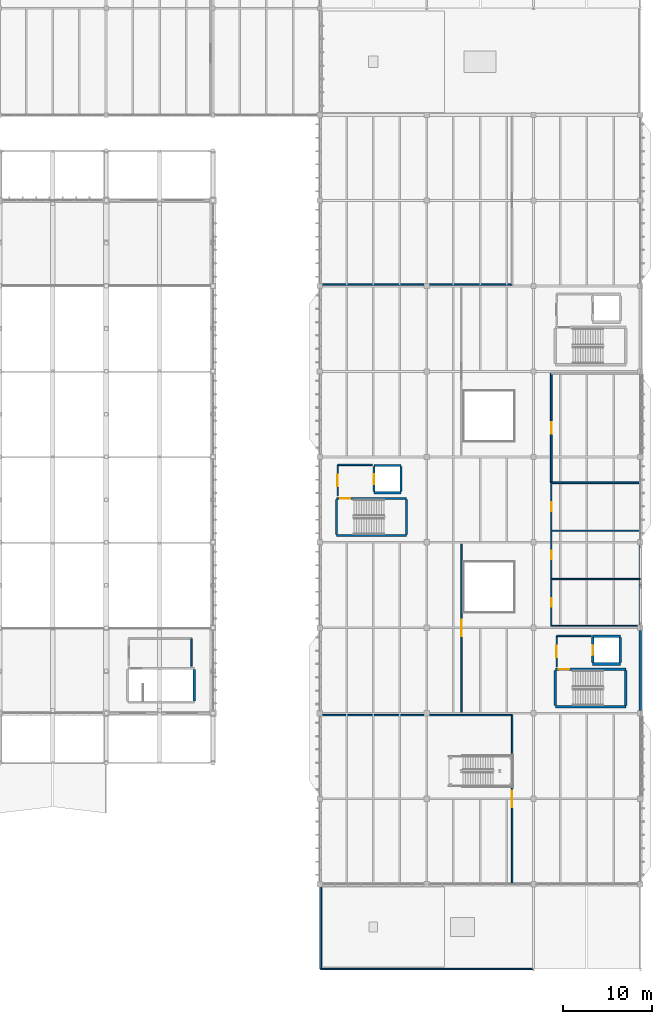
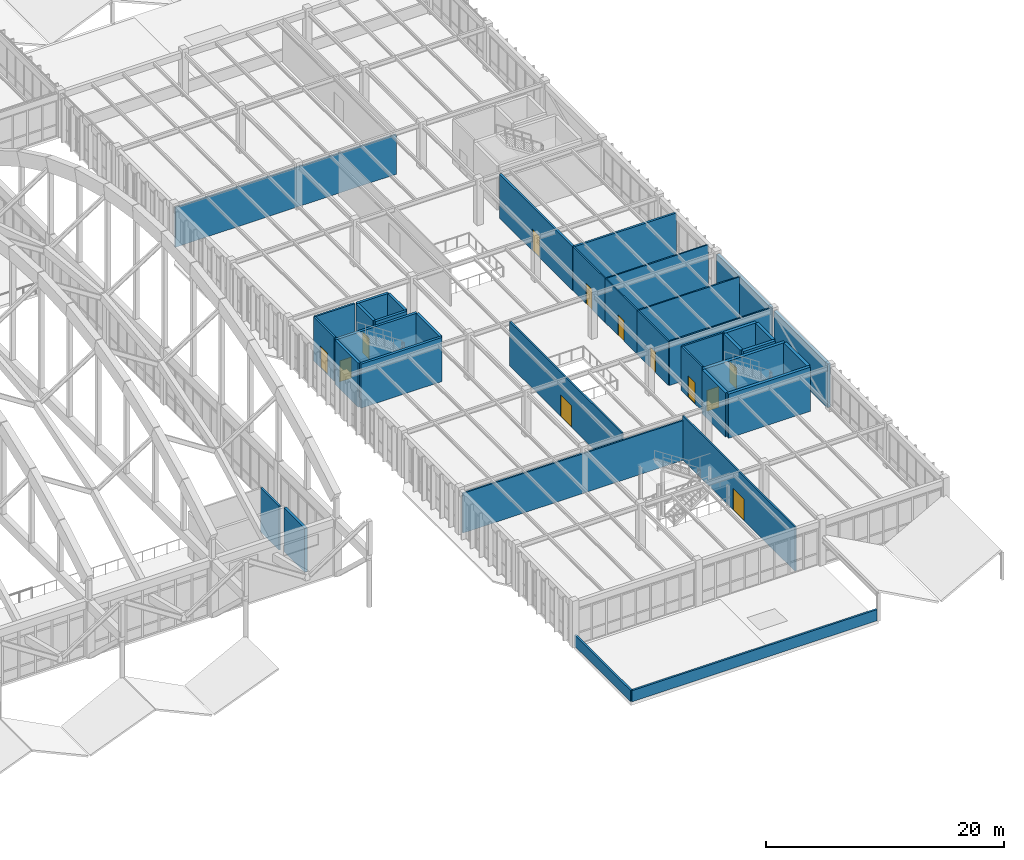
# One storey, part 222 of 236: 38 walls, 12 doors, 12 openings.
"""IFC4 building model written with IfcOpenShell, lengths in metres."""

import ifcopenshell
import ifcopenshell.guid

model = None  # the IFC model being written
_history = None  # IfcOwnerHistory: only IFC2X3 demands one
_inside = {}  # id of a spatial element -> (the spatial element, [elements in it])
_under = {}  # id of a project, library or spatial element -> (it, [spatial elements below it])
_declared = {}  # id of a project -> (the project, [libraries it declares])
_typed = {}  # id of a type object -> (the type object, [elements of that type])
_made_of = {}  # id of a material, layer set ... -> (it, [elements and type objects made of it])


def new_model(schema):
    """Start an empty IFC model of exactly this schema.

    Asked for "IFC4X3", IfcOpenShell would pick the latest addendum, in which some entities
    have other attributes; the version numbers below select the first issue.
    IFC2X3 requires an IfcOwnerHistory on every rooted entity: one is made here for all.
    """
    global model, _history
    if schema == "IFC4X3":
        model = ifcopenshell.file(schema_version=(4, 3, 0, 0))
    else:
        model = ifcopenshell.file(schema=schema)
    _inside.clear()
    _under.clear()
    _declared.clear()
    _typed.clear()
    _made_of.clear()
    _history = None
    if model.schema == "IFC2X3":
        org = make("IfcOrganization", Name="unknown")
        user = make(
            "IfcPersonAndOrganization",
            ThePerson=make("IfcPerson", FamilyName="unknown"),
            TheOrganization=org,
        )
        app = make(
            "IfcApplication",
            ApplicationDeveloper=org,
            Version="unknown",
            ApplicationFullName="unknown",
            ApplicationIdentifier="unknown",
        )
        _history = make(
            "IfcOwnerHistory",
            OwningUser=user,
            OwningApplication=app,
            ChangeAction="ADDED",
            CreationDate=0,
        )
    return model


def make(cls, **values):
    """One entity of the class cls with the attributes given. An attribute that is None is left unset."""
    return model.create_entity(
        cls, **{name: value for name, value in values.items() if value is not None}
    )


def rooted(cls, **values):
    """An entity with a GlobalId (a new one), such as an element, a storey or a relation."""
    return make(cls, GlobalId=ifcopenshell.guid.new(), OwnerHistory=_history, **values)


def si_unit(unit_type, name, prefix=None):
    """IfcSIUnit, for example si_unit("LENGTHUNIT", "METRE", prefix="MILLI")."""
    return make("IfcSIUnit", UnitType=unit_type, Prefix=prefix, Name=name)


def assignment(units):
    """IfcUnitAssignment: the units of a project."""
    return None if units is None else make("IfcUnitAssignment", Units=units)


def point(xyz):
    """IfcCartesianPoint."""
    return None if xyz is None else make("IfcCartesianPoint", Coordinates=xyz)


def direction(xyz):
    """IfcDirection."""
    return None if xyz is None else make("IfcDirection", DirectionRatios=xyz)


def frame(location, z_axis=None, x_axis=None):
    """IfcAxis2Placement3D, a coordinate frame: its origin and axes. An axis left out is left unset."""
    return make(
        "IfcAxis2Placement3D",
        Location=point(location),
        Axis=direction(z_axis),
        RefDirection=direction(x_axis),
    )


def frame_2d(location, x_axis=None):
    """IfcAxis2Placement2D, a coordinate frame in the plane: its origin and x axis."""
    return make(
        "IfcAxis2Placement2D", Location=point(location), RefDirection=direction(x_axis)
    )


def origin():
    """The frame at (0, 0, 0) with its axes left unset."""
    return frame((0.0, 0.0, 0.0))


def place(relative_to, where):
    """IfcLocalPlacement: puts the frame where relative to a parent placement (None: the world)."""
    return make(
        "IfcLocalPlacement", PlacementRelTo=relative_to, RelativePlacement=where
    )


def context(
    kind, dimensions, precision=None, world=None, true_north=None, identifier=None
):
    """IfcGeometricRepresentationContext, for example the 3D "Model" context."""
    return make(
        "IfcGeometricRepresentationContext",
        ContextIdentifier=identifier,
        ContextType=kind,
        CoordinateSpaceDimension=dimensions,
        Precision=precision,
        WorldCoordinateSystem=world,
        TrueNorth=true_north,
    )


def subcontext(parent, identifier, kind, view, scale=None):
    """IfcGeometricRepresentationSubContext, for example "Body" below "Model"."""
    return make(
        "IfcGeometricRepresentationSubContext",
        ContextIdentifier=identifier,
        ContextType=kind,
        ParentContext=parent,
        TargetScale=scale,
        TargetView=view,
    )


def project(units=None, contexts=None):
    """IfcProject with its units and contexts."""
    return rooted(
        "IfcProject",
        Name="project",
        RepresentationContexts=contexts,
        UnitsInContext=assignment(units),
    )


def spatial(cls, under=None, at=None, **own):
    """A site, building, storey or space (cls), placed at a placement, below another one or the project."""
    s = rooted(cls, ObjectPlacement=at, **own)
    if under is not None:
        _under.setdefault(under.id(), (under, []))[1].append(s)
    return s


def profile(cls, at=None, kind="AREA", **sizes):
    """A parametric profile (cls). Its sizes go by their IFC names, for example OverallWidth=200.0."""
    return make(cls, ProfileType=kind, Position=at, **sizes)


def rectangle(**sizes):
    """IfcRectangleProfileDef."""
    return profile("IfcRectangleProfileDef", **sizes)


def extrude(swept, where, along, depth):
    """IfcExtrudedAreaSolid: the profile swept, set in the frame where, extruded along a direction by depth."""
    return make(
        "IfcExtrudedAreaSolid",
        SweptArea=swept,
        Position=where,
        ExtrudedDirection=direction(along),
        Depth=depth,
    )


def shape(context_of_items, identifier, shape_type, items):
    """IfcShapeRepresentation: the items that make up one representation, for example the "Body"."""
    return make(
        "IfcShapeRepresentation",
        ContextOfItems=context_of_items,
        RepresentationIdentifier=identifier,
        RepresentationType=shape_type,
        Items=items,
    )


def material(Name=None, Category=None):
    """IfcMaterial."""
    return make("IfcMaterial", Name=Name, Category=Category)


def layer(
    of_material, thickness, ventilated=None, Name=None, Category=None, Priority=None
):
    """IfcMaterialLayer: one layer of a wall or slab, of a material (None: an air gap)."""
    return make(
        "IfcMaterialLayer",
        Material=of_material,
        LayerThickness=thickness,
        IsVentilated=ventilated,
        Name=Name,
        Category=Category,
        Priority=Priority,
    )


def layer_set(layers, Name=None):
    """IfcMaterialLayerSet."""
    return make("IfcMaterialLayerSet", MaterialLayers=layers, LayerSetName=Name)


def made_of(thing, what):
    """Note that an element or type object is made of a material, layer set ...; save() writes the relation."""
    if what is not None:
        _made_of.setdefault(what.id(), (what, []))[1].append(thing)
    return thing


def type_object(cls, material=None, **own):
    """A type object (cls), such as IfcWallType, which elements share."""
    return made_of(rooted(cls, **own), material)


def element(
    cls,
    number,
    at=None,
    inside=None,
    cuts=None,
    type_object=None,
    material=None,
    context=None,
    identifier="Body",
    shape_type=None,
    held_by="IfcProductDefinitionShape",
    body=None,
    shapes=None,
    **own,
):
    """One element of the class cls, such as IfcWall. Its Tag is "e" and its number.

    at: its placement. inside: the storey or other place that contains it. cuts: it is an
    opening in that element (IfcRelVoidsElement). A single representation is given by context,
    identifier, shape_type and body (its items); several are given by shapes. held_by: the class
    of the entity that holds the representations. save() writes the other relations.
    """
    e = rooted(cls, Tag="e%d" % number, ObjectPlacement=at, **own)
    if body is not None:
        shapes = [shape(context, identifier, shape_type, body)]
    if shapes is not None:
        e.Representation = make(held_by, Representations=shapes)
    if inside is not None:
        _inside.setdefault(inside.id(), (inside, []))[1].append(e)
    if cuts is not None:
        rooted(
            "IfcRelVoidsElement", RelatingBuildingElement=cuts, RelatedOpeningElement=e
        )
    if type_object is not None:
        _typed.setdefault(type_object.id(), (type_object, []))[1].append(e)
    return made_of(e, material)


def fill(opening, filler):
    """IfcRelFillsElement: the door or window that sits in an opening."""
    return rooted(
        "IfcRelFillsElement",
        RelatingOpeningElement=opening,
        RelatedBuildingElement=filler,
    )


def aggregate(whole, parts):
    """IfcRelAggregates: a whole, such as a stair, and the parts it consists of."""
    return rooted("IfcRelAggregates", RelatingObject=whole, RelatedObjects=parts)


def save(model, path):
    """Write the relations noted so far, then the file.

    IfcRelAggregates (storeys below a building ...), IfcRelContainedInSpatialStructure (elements
    in a storey), IfcRelDefinesByType, IfcRelAssociatesMaterial and IfcRelDeclares: one each for
    every whole, place, type object, material and project.
    """
    for whole, parts in _under.values():
        aggregate(whole, parts)
    for where, things in _inside.values():
        rooted(
            "IfcRelContainedInSpatialStructure",
            RelatedElements=things,
            RelatingStructure=where,
        )
    for kind, things in _typed.values():
        rooted("IfcRelDefinesByType", RelatedObjects=things, RelatingType=kind)
    for what, things in _made_of.values():
        rooted("IfcRelAssociatesMaterial", RelatedObjects=things, RelatingMaterial=what)
    for by, libraries in _declared.values():
        rooted("IfcRelDeclares", RelatingContext=by, RelatedDefinitions=libraries)
    model.write(path)


model = new_model("IFC4")

# Units and contexts
model_context = context("Model", 3, precision=1e-05, world=origin(), true_north=direction((0.0, 1.0)))
body_context = subcontext(model_context, "Body", "Model", "MODEL_VIEW")
ifc_project = project(units=[si_unit("LENGTHUNIT", "METRE"), si_unit("AREAUNIT", "SQUARE_METRE"), si_unit("VOLUMEUNIT", "CUBIC_METRE"), si_unit("PLANEANGLEUNIT", "RADIAN"), si_unit("MASSUNIT", "GRAM", prefix="KILO")], contexts=[model_context])

# Site, building, storey
site_placement = place(None, origin())
site = spatial("IfcSite", under=ifc_project, at=site_placement, CompositionType="ELEMENT")
building_placement = place(site_placement, origin())
building = spatial("IfcBuilding", under=site, at=building_placement, Name="Pandanus Reach Market Hall", CompositionType="ELEMENT")
storey_placement = place(building_placement, frame((0.0, 0.0, 5.39990234375)))
storey = spatial("IfcBuildingStorey", under=building, at=storey_placement, Name="L01", CompositionType="ELEMENT", Elevation=5.39990234375)

# Wall
ifc_material_1 = material(Name="Concrete N40 (40 MPa)", Category="concrete")
ifc_layer_1 = layer(ifc_material_1, 0.25, Name="WL-CORE-250")
ifc_layer_set_1 = layer_set([ifc_layer_1], Name="Concrete N40 (40 MPa)")
wall_type_1 = type_object("IfcWallType", Name="WL-CORE-250", PredefinedType="SHEAR", material=ifc_layer_set_1)
wall_1_placement = place(storey_placement, frame((145.875, 48.77490234375, 0.0), z_axis=(0.0, 0.0, 1.0), x_axis=(1.0, 0.0, 0.0)))
element("IfcWall", 1, at=wall_1_placement, inside=storey, type_object=wall_type_1, Name="Internal wall WL-CORE-250 WL-0290", PredefinedType="SHEAR", context=body_context, shape_type="SweptSolid", body=[
    extrude(rectangle(XDim=7.8701171875, YDim=0.25, at=frame_2d((3.93505859375, 0.0))), origin(), (0.0, 0.0, 1.0), 4.52001953125),
])

# Wall, opening, door
wall_2_placement = place(storey_placement, frame((145.875, 52.925048828125, 0.0), z_axis=(0.0, 0.0, 1.0), x_axis=(1.0, 0.0, 0.0)))
wall_2 = element("IfcWall", 2, at=wall_2_placement, inside=storey, type_object=wall_type_1, Name="Internal wall WL-CORE-250 WL-0291", PredefinedType="SHEAR", context=body_context, shape_type="SweptSolid", body=[
    extrude(rectangle(XDim=7.8701171875, YDim=0.25, at=frame_2d((3.93505859375, 0.0))), origin(), (0.0, 0.0, 1.0), 4.52001953125),
])
opening_1_placement = place(wall_2_placement, frame((0.39990234375, 0.0, 0.0)))
opening_1 = element("IfcOpeningElement", 3, at=opening_1_placement, cuts=wall_2, Name="Opening DR-FD1", PredefinedType="OPENING", context=body_context, shape_type="SweptSolid", body=[
    extrude(rectangle(XDim=1.14990234375, YDim=2.14990234375, at=frame_2d((0.574951171875, 1.074951171875))), frame((0.0, 0.139892578125, 0.0), z_axis=(0.0, -1.0, 0.0), x_axis=(1.0, 0.0, 0.0)), (0.0, 0.0, 1.0), 0.280029296875),
])
ifc_material_2 = material(Name="Fire-rated steel door", Category="steel")
door_type_1 = type_object("IfcDoorType", Name="DR-FD1", OperationType="NOTDEFINED", PredefinedType="DOOR", material=ifc_material_2)
door_1_placement = place(opening_1_placement, frame((1.14990234375, 0.0, 0.0), z_axis=(0.0, 0.0, 1.0), x_axis=(-1.0, 0.0, 0.0)))
door_1 = element("IfcDoor", 4, at=door_1_placement, inside=storey, type_object=door_type_1, Name="Fire stair door ST-03 L01", OperationType="SINGLE_SWING_RIGHT", OverallHeight=2.14990234375, OverallWidth=1.14990234375, PredefinedType="DOOR", context=body_context, shape_type="SweptSolid", body=[
    extrude(rectangle(XDim=1.14990234375, YDim=2.14990234375, at=frame_2d((0.574951171875, 1.074951171875))), frame((0.0, 0.02490234375, 0.0), z_axis=(0.0, -1.0, 0.0), x_axis=(1.0, 0.0, 0.0)), (0.0, 0.0, 1.0), 0.050048828125),
])
fill(opening_1, door_1)

# Walls
for number, where, z_axis, x_axis, name in (
    (5, (145.875, 48.89990234375, 0.0), (0.0, 0.0, 1.0), (0.0, 1.0, 0.0), "Internal wall WL-CORE-250 WL-0292"),
    (6, (153.7451171875, 48.89990234375, 0.0), (0.0, 0.0, 1.0), (0.0, 1.0, 0.0), "Internal wall WL-CORE-250 WL-0293"),
):
    element("IfcWall", number, at=place(storey_placement, frame(where, z_axis=z_axis, x_axis=x_axis)), inside=storey, type_object=wall_type_1, Name=name, PredefinedType="SHEAR", context=body_context, shape_type="SweptSolid", body=[
        extrude(rectangle(XDim=3.900146484375, YDim=0.25, at=frame_2d((1.9501953125, 0.0))), origin(), (0.0, 0.0, 1.0), 4.52001953125),
    ])
for number, where, z_axis, x_axis, name in (
    (7, (150.074951171875, 53.574951171875, 0.0), (0.0, 0.0, 1.0), (1.0, 0.0, 0.0), "Internal wall WL-CORE-250 WL-0294"),
    (8, (150.074951171875, 56.625, 0.0), (0.0, 0.0, 1.0), (1.0, 0.0, 0.0), "Internal wall WL-CORE-250 WL-0295"),
):
    element("IfcWall", number, at=place(storey_placement, frame(where, z_axis=z_axis, x_axis=x_axis)), inside=storey, type_object=wall_type_1, Name=name, PredefinedType="SHEAR", context=body_context, shape_type="SweptSolid", body=[
        extrude(rectangle(XDim=3.050048828125, YDim=0.25, at=frame_2d((1.52490234375, 0.0))), origin(), (0.0, 0.0, 1.0), 4.52001953125),
    ])
wall_3_placement = place(storey_placement, frame((153.125, 53.699951171875, 0.0), z_axis=(0.0, 0.0, 1.0), x_axis=(0.0, 1.0, 0.0)))
element("IfcWall", 9, at=wall_3_placement, inside=storey, type_object=wall_type_1, Name="Internal wall WL-CORE-250 WL-0296", PredefinedType="SHEAR", context=body_context, shape_type="SweptSolid", body=[
    extrude(rectangle(XDim=2.800048828125, YDim=0.25, at=frame_2d((1.39990234375, 0.0))), origin(), (0.0, 0.0, 1.0), 4.52001953125),
])

# Wall, opening, door
wall_4_placement = place(storey_placement, frame((150.074951171875, 53.699951171875, 0.0), z_axis=(0.0, 0.0, 1.0), x_axis=(0.0, 1.0, 0.0)))
wall_4 = element("IfcWall", 10, at=wall_4_placement, inside=storey, type_object=wall_type_1, Name="Internal wall WL-CORE-250 WL-0297", PredefinedType="SHEAR", context=body_context, shape_type="SweptSolid", body=[
    extrude(rectangle(XDim=2.800048828125, YDim=0.25, at=frame_2d((1.39990234375, 0.0))), origin(), (0.0, 0.0, 1.0), 4.52001953125),
])
opening_2_placement = place(wall_4_placement, frame((0.85009765625, 0.0, 0.0)))
opening_2 = element("IfcOpeningElement", 11, at=opening_2_placement, cuts=wall_4, Name="Opening LD-01", PredefinedType="OPENING", context=body_context, shape_type="SweptSolid", body=[
    extrude(rectangle(XDim=1.10009765625, YDim=2.14990234375, at=frame_2d((0.550048828125, 1.074951171875))), frame((0.0, 0.139892578125, 0.0), z_axis=(0.0, -1.0, 0.0), x_axis=(1.0, 0.0, 0.0)), (0.0, 0.0, 1.0), 0.280029296875),
])
ifc_material_3 = material(Name="Stainless steel lift landing door", Category="steel")
door_type_2 = type_object("IfcDoorType", Name="LD-01", OperationType="SLIDING_TO_LEFT", PredefinedType="DOOR", material=ifc_material_3)
door_2_placement = place(opening_2_placement, origin())
door_2 = element("IfcDoor", 12, at=door_2_placement, inside=storey, type_object=door_type_2, Name="Lift landing door LF-03 LD-01 45", OperationType="SLIDING_TO_LEFT", OverallHeight=2.14990234375, OverallWidth=1.10009765625, PredefinedType="DOOR", context=body_context, shape_type="SweptSolid", body=[
    extrude(rectangle(XDim=1.10009765625, YDim=2.14990234375, at=frame_2d((0.550048828125, 1.074951171875))), frame((0.0, 0.02490234375, 0.0), z_axis=(0.0, -1.0, 0.0), x_axis=(1.0, 0.0, 0.0)), (0.0, 0.0, 1.0), 0.050048828125),
])
fill(opening_2, door_2)

# Walls
wall_5_placement = place(storey_placement, frame((129.89501953125, 30.199951171875, 0.0), z_axis=(0.0, 0.0, 1.0), x_axis=(0.0, 1.0, 0.0)))
element("IfcWall", 13, at=wall_5_placement, inside=storey, type_object=wall_type_1, Name="Internal wall WL-CORE-250 WL-0444", PredefinedType="SHEAR", context=body_context, shape_type="SweptSolid", body=[
    extrude(rectangle(XDim=3.5, YDim=0.25, at=frame_2d((1.75, 0.0))), origin(), (0.0, 0.0, 1.0), 4.52001953125),
])
ifc_layer_2 = layer(ifc_material_1, 0.300048828125, Name="WL-CORE-300")
ifc_layer_set_2 = layer_set([ifc_layer_2], Name="Concrete N40 (40 MPa)")
wall_type_2 = type_object("IfcWallType", Name="WL-CORE-300", PredefinedType="SHEAR", material=ifc_layer_set_2)
wall_6_placement = place(storey_placement, frame((170.449951171875, 29.550048828125, 0.0), z_axis=(0.0, 0.0, 1.0), x_axis=(1.0, 0.0, 0.0)))
element("IfcWall", 14, at=wall_6_placement, inside=storey, type_object=wall_type_2, Name="Internal wall WL-CORE-300 WL-0170", PredefinedType="SHEAR", context=body_context, shape_type="SweptSolid", body=[
    extrude(rectangle(XDim=7.920166015625, YDim=0.300048828125, at=frame_2d((3.9599609375, 0.0))), origin(), (0.0, 0.0, 1.0), 4.52001953125),
])

# Wall, opening, door
wall_7_placement = place(storey_placement, frame((170.449951171875, 33.75, 0.0), z_axis=(0.0, 0.0, 1.0), x_axis=(1.0, 0.0, 0.0)))
wall_7 = element("IfcWall", 15, at=wall_7_placement, inside=storey, type_object=wall_type_2, Name="Internal wall WL-CORE-300 WL-0171", PredefinedType="SHEAR", context=body_context, shape_type="SweptSolid", body=[
    extrude(rectangle(XDim=7.920166015625, YDim=0.300048828125, at=frame_2d((3.9599609375, 0.0))), origin(), (0.0, 0.0, 1.0), 4.52001953125),
])
opening_3_placement = place(wall_7_placement, frame((0.39990234375, 0.0, 0.0)))
opening_3 = element("IfcOpeningElement", 16, at=opening_3_placement, cuts=wall_7, Name="Opening DR-FD1", PredefinedType="OPENING", context=body_context, shape_type="SweptSolid", body=[
    extrude(rectangle(XDim=1.14990234375, YDim=2.14990234375, at=frame_2d((0.574951171875, 1.074951171875))), frame((0.0, 0.1650390625, 0.0), z_axis=(0.0, -1.0, 0.0), x_axis=(1.0, 0.0, 0.0)), (0.0, 0.0, 1.0), 0.330078125),
])
door_3_placement = place(opening_3_placement, frame((1.14990234375, 0.0, 0.0), z_axis=(0.0, 0.0, 1.0), x_axis=(-1.0, 0.0, 0.0)))
door_3 = element("IfcDoor", 17, at=door_3_placement, inside=storey, type_object=door_type_1, Name="Fire stair door ST-01 L01", OperationType="SINGLE_SWING_RIGHT", OverallHeight=2.14990234375, OverallWidth=1.14990234375, PredefinedType="DOOR", context=body_context, shape_type="SweptSolid", body=[
    extrude(rectangle(XDim=1.14990234375, YDim=2.14990234375, at=frame_2d((0.574951171875, 1.074951171875))), frame((0.0, 0.02490234375, 0.0), z_axis=(0.0, -1.0, 0.0), x_axis=(1.0, 0.0, 0.0)), (0.0, 0.0, 1.0), 0.050048828125),
])
fill(opening_3, door_3)

# Walls
for number, where, z_axis, x_axis, name in (
    (18, (170.449951171875, 29.699951171875, 0.0), (0.0, 0.0, 1.0), (0.0, 1.0, 0.0), "Internal wall WL-CORE-300 WL-0172"),
    (19, (178.3701171875, 29.699951171875, 0.0), (0.0, 0.0, 1.0), (0.0, 1.0, 0.0), "Internal wall WL-CORE-300 WL-0173"),
):
    element("IfcWall", number, at=place(storey_placement, frame(where, z_axis=z_axis, x_axis=x_axis)), inside=storey, type_object=wall_type_2, Name=name, PredefinedType="SHEAR", context=body_context, shape_type="SweptSolid", body=[
        extrude(rectangle(XDim=3.900146484375, YDim=0.300048828125, at=frame_2d((1.9501953125, 0.0))), origin(), (0.0, 0.0, 1.0), 4.52001953125),
    ])
for number, where, z_axis, x_axis, name in (
    (20, (174.64990234375, 34.35009765625, 0.0), (0.0, 0.0, 1.0), (1.0, 0.0, 0.0), "Internal wall WL-CORE-300 WL-0174"),
    (21, (174.64990234375, 37.449951171875, 0.0), (0.0, 0.0, 1.0), (1.0, 0.0, 0.0), "Internal wall WL-CORE-300 WL-0175"),
):
    element("IfcWall", number, at=place(storey_placement, frame(where, z_axis=z_axis, x_axis=x_axis)), inside=storey, type_object=wall_type_2, Name=name, PredefinedType="SHEAR", context=body_context, shape_type="SweptSolid", body=[
        extrude(rectangle(XDim=3.10009765625, YDim=0.300048828125, at=frame_2d((1.550048828125, 0.0))), origin(), (0.0, 0.0, 1.0), 4.52001953125),
    ])
wall_8_placement = place(storey_placement, frame((177.75, 34.5, 0.0), z_axis=(0.0, 0.0, 1.0), x_axis=(0.0, 1.0, 0.0)))
element("IfcWall", 22, at=wall_8_placement, inside=storey, type_object=wall_type_2, Name="Internal wall WL-CORE-300 WL-0176", PredefinedType="SHEAR", context=body_context, shape_type="SweptSolid", body=[
    extrude(rectangle(XDim=2.800048828125, YDim=0.300048828125, at=frame_2d((1.39990234375, 0.0))), origin(), (0.0, 0.0, 1.0), 4.52001953125),
])

# Wall, opening, door
wall_9_placement = place(storey_placement, frame((174.64990234375, 34.5, 0.0), z_axis=(0.0, 0.0, 1.0), x_axis=(0.0, 1.0, 0.0)))
wall_9 = element("IfcWall", 23, at=wall_9_placement, inside=storey, type_object=wall_type_2, Name="Internal wall WL-CORE-300 WL-0177", PredefinedType="SHEAR", context=body_context, shape_type="SweptSolid", body=[
    extrude(rectangle(XDim=2.800048828125, YDim=0.300048828125, at=frame_2d((1.39990234375, 0.0))), origin(), (0.0, 0.0, 1.0), 4.52001953125),
])
opening_4_placement = place(wall_9_placement, frame((0.85009765625, 0.0, 0.0)))
opening_4 = element("IfcOpeningElement", 24, at=opening_4_placement, cuts=wall_9, Name="Opening LD-01", PredefinedType="OPENING", context=body_context, shape_type="SweptSolid", body=[
    extrude(rectangle(XDim=1.10009765625, YDim=2.14990234375, at=frame_2d((0.550048828125, 1.074951171875))), frame((0.0, 0.1650390625, 0.0), z_axis=(0.0, -1.0, 0.0), x_axis=(1.0, 0.0, 0.0)), (0.0, 0.0, 1.0), 0.330078125),
])
door_4_placement = place(opening_4_placement, origin())
door_4 = element("IfcDoor", 25, at=door_4_placement, inside=storey, type_object=door_type_2, Name="Lift landing door LF-01 LD-01 9", OperationType="SLIDING_TO_LEFT", OverallHeight=2.14990234375, OverallWidth=1.10009765625, PredefinedType="DOOR", context=body_context, shape_type="SweptSolid", body=[
    extrude(rectangle(XDim=1.10009765625, YDim=2.14990234375, at=frame_2d((0.550048828125, 1.074951171875))), frame((0.0, 0.02490234375, 0.0), z_axis=(0.0, -1.0, 0.0), x_axis=(1.0, 0.0, 0.0)), (0.0, 0.0, 1.0), 0.050048828125),
])
fill(opening_4, door_4)

# Walls
ifc_material_4 = material(Name="Precast concrete S50 (50 MPa)", Category="concrete")
ifc_layer_3 = layer(ifc_material_4, 0.280029296875, Name="WL-EXT-280")
ifc_layer_set_3 = layer_set([ifc_layer_3], Name="Precast concrete S50 (50 MPa)")
wall_type_3 = type_object("IfcWallType", Name="WL-EXT-280", PredefinedType="SOLIDWALL", material=ifc_layer_set_3)
for number, where, z_axis, x_axis, name in (
    (26, (180.0, 29.10009765625, 0.0), (0.0, 0.0, 1.0), (0.0, 1.0, 0.0), "External wall WL-EXT-280 WL-0097"),
    (27, (180.0, 38.699951171875, 0.0), (0.0, 0.0, 1.0), (0.0, 1.0, 0.0), "External wall WL-EXT-280 WL-0098"),
):
    element("IfcWall", number, at=place(storey_placement, frame(where, z_axis=z_axis, x_axis=x_axis)), inside=storey, type_object=wall_type_3, Name=name, PredefinedType="SOLIDWALL", context=body_context, shape_type="SweptSolid", body=[
        extrude(rectangle(XDim=9.0, YDim=0.280029296875, at=frame_2d((4.5, 0.0))), origin(), (0.0, 0.0, 1.0), 4.5),
    ])
ifc_layer_4 = layer(ifc_material_1, 0.199951171875, Name="WL-FIRE-200")
ifc_layer_set_4 = layer_set([ifc_layer_4], Name="Concrete N40 (40 MPa)")
wall_type_4 = type_object("IfcWallType", Name="WL-FIRE-200", PredefinedType="SOLIDWALL", material=ifc_layer_set_4)
wall_10_placement = place(storey_placement, frame((170.0, 54.699951171875, 0.0), z_axis=(0.0, 0.0, 1.0), x_axis=(1.0, 0.0, 0.0)))
element("IfcWall", 28, at=wall_10_placement, inside=storey, type_object=wall_type_4, Name="Internal wall WL-FIRE-200 WL-0528", PredefinedType="SOLIDWALL", context=body_context, shape_type="SweptSolid", body=[
    extrude(rectangle(XDim=9.9599609375, YDim=0.199951171875, at=frame_2d((4.97998046875, 0.0))), origin(), (0.0, 0.0, 1.0), 4.52001953125),
])

# Wall, opening, door
wall_11_placement = place(storey_placement, frame((170.0, 54.699951171875, 0.0), z_axis=(0.0, 0.0, 1.0), x_axis=(0.0, 1.0, 0.0)))
wall_11 = element("IfcWall", 29, at=wall_11_placement, inside=storey, type_object=wall_type_4, Name="Internal wall WL-FIRE-200 WL-0533", PredefinedType="SOLIDWALL", context=body_context, shape_type="SweptSolid", body=[
    extrude(rectangle(XDim=12.300048828125, YDim=0.199951171875, at=frame_2d((6.14990234375, 0.0))), origin(), (0.0, 0.0, 1.0), 4.52001953125),
])
opening_5_placement = place(wall_11_placement, frame((5.52490234375, 0.0, 0.0)))
opening_5 = element("IfcOpeningElement", 30, at=opening_5_placement, cuts=wall_11, Name="Opening DR-FD2", PredefinedType="OPENING", context=body_context, shape_type="SweptSolid", body=[
    extrude(rectangle(XDim=1.25, YDim=2.199951171875, at=frame_2d((0.625, 1.10009765625))), frame((0.0, 0.114990234375, 0.0), z_axis=(0.0, -1.0, 0.0), x_axis=(1.0, 0.0, 0.0)), (0.0, 0.0, 1.0), 0.22998046875),
])
door_type_3 = type_object("IfcDoorType", Name="DR-FD2", OperationType="NOTDEFINED", PredefinedType="DOOR", material=ifc_material_2)
door_5_placement = place(opening_5_placement, origin())
door_5 = element("IfcDoor", 31, at=door_5_placement, inside=storey, type_object=door_type_3, Name="Kitchen exhaust plant fire door DR-FD2 143", OperationType="SINGLE_SWING_RIGHT", OverallHeight=2.199951171875, OverallWidth=1.25, PredefinedType="DOOR", context=body_context, shape_type="SweptSolid", body=[
    extrude(rectangle(XDim=1.25, YDim=2.199951171875, at=frame_2d((0.625, 1.10009765625))), frame((0.0, 0.02490234375, 0.0), z_axis=(0.0, -1.0, 0.0), x_axis=(1.0, 0.0, 0.0)), (0.0, 0.0, 1.0), 0.050048828125),
])
fill(opening_5, door_5)

ifc_layer_5 = layer(ifc_material_1, 0.175048828125, Name="WL-LOB-175")
ifc_layer_set_5 = layer_set([ifc_layer_5], Name="Concrete N40 (40 MPa)")
wall_type_5 = type_object("IfcWallType", Name="WL-LOB-175", PredefinedType="PARTITIONING", material=ifc_layer_set_5)
wall_12_placement = place(storey_placement, frame((170.60009765625, 34.0, 0.0), z_axis=(0.0, 0.0, 1.0), x_axis=(0.0, 1.0, 0.0)))
wall_12 = element("IfcWall", 32, at=wall_12_placement, inside=storey, type_object=wall_type_5, Name="Internal wall WL-LOB-175 WL-0178", PredefinedType="PARTITIONING", context=body_context, shape_type="SweptSolid", body=[
    extrude(rectangle(XDim=3.5, YDim=0.175048828125, at=frame_2d((1.75, 0.0))), origin(), (0.0, 0.0, 1.0), 4.52001953125),
])
opening_6_placement = place(wall_12_placement, frame((1.125, 0.0, 0.0)))
opening_6 = element("IfcOpeningElement", 33, at=opening_6_placement, cuts=wall_12, Name="Opening DR-FD2", PredefinedType="OPENING", context=body_context, shape_type="SweptSolid", body=[
    extrude(rectangle(XDim=1.25, YDim=2.199951171875, at=frame_2d((0.625, 1.10009765625))), frame((0.0, 0.1025390625, 0.0), z_axis=(0.0, -1.0, 0.0), x_axis=(1.0, 0.0, 0.0)), (0.0, 0.0, 1.0), 0.205078125),
])
door_6_placement = place(opening_6_placement, frame((1.25, 0.0, 0.0), z_axis=(0.0, 0.0, 1.0), x_axis=(-1.0, 0.0, 0.0)))
door_6 = element("IfcDoor", 34, at=door_6_placement, inside=storey, type_object=door_type_3, Name="Core C1 lobby fire door DR-FD2 10", OperationType="SINGLE_SWING_LEFT", OverallHeight=2.199951171875, OverallWidth=1.25, PredefinedType="DOOR", context=body_context, shape_type="SweptSolid", body=[
    extrude(rectangle(XDim=1.25, YDim=2.199951171875, at=frame_2d((0.625, 1.10009765625))), frame((0.0, 0.02490234375, 0.0), z_axis=(0.0, -1.0, 0.0), x_axis=(1.0, 0.0, 0.0)), (0.0, 0.0, 1.0), 0.050048828125),
])
fill(opening_6, door_6)

# Wall
wall_13_placement = place(storey_placement, frame((170.60009765625, 37.5, 0.0), z_axis=(0.0, 0.0, 1.0), x_axis=(1.0, 0.0, 0.0)))
element("IfcWall", 35, at=wall_13_placement, inside=storey, type_object=wall_type_5, Name="Internal wall WL-LOB-175 WL-0179", PredefinedType="PARTITIONING", context=body_context, shape_type="SweptSolid", body=[
    extrude(rectangle(XDim=3.89990234375, YDim=0.175048828125, at=frame_2d((1.949951171875, 0.0))), origin(), (0.0, 0.0, 1.0), 4.52001953125),
])

# Wall, opening, door
wall_14_placement = place(storey_placement, frame((146.0, 53.199951171875, 0.0), z_axis=(0.0, 0.0, 1.0), x_axis=(0.0, 1.0, 0.0)))
wall_14 = element("IfcWall", 36, at=wall_14_placement, inside=storey, type_object=wall_type_5, Name="Internal wall WL-LOB-175 WL-0298", PredefinedType="PARTITIONING", context=body_context, shape_type="SweptSolid", body=[
    extrude(rectangle(XDim=3.5, YDim=0.175048828125, at=frame_2d((1.75, 0.0))), origin(), (0.0, 0.0, 1.0), 4.52001953125),
])
opening_7_placement = place(wall_14_placement, frame((1.125, 0.0, 0.0)))
opening_7 = element("IfcOpeningElement", 37, at=opening_7_placement, cuts=wall_14, Name="Opening DR-FD2", PredefinedType="OPENING", context=body_context, shape_type="SweptSolid", body=[
    extrude(rectangle(XDim=1.25, YDim=2.199951171875, at=frame_2d((0.625, 1.10009765625))), frame((0.0, 0.1025390625, 0.0), z_axis=(0.0, -1.0, 0.0), x_axis=(1.0, 0.0, 0.0)), (0.0, 0.0, 1.0), 0.205078125),
])
door_7_placement = place(opening_7_placement, frame((1.25, 0.0, 0.0), z_axis=(0.0, 0.0, 1.0), x_axis=(-1.0, 0.0, 0.0)))
door_7 = element("IfcDoor", 38, at=door_7_placement, inside=storey, type_object=door_type_3, Name="Core C3 lobby fire door DR-FD2 46", OperationType="SINGLE_SWING_LEFT", OverallHeight=2.199951171875, OverallWidth=1.25, PredefinedType="DOOR", context=body_context, shape_type="SweptSolid", body=[
    extrude(rectangle(XDim=1.25, YDim=2.199951171875, at=frame_2d((0.625, 1.10009765625))), frame((0.0, 0.02490234375, 0.0), z_axis=(0.0, -1.0, 0.0), x_axis=(1.0, 0.0, 0.0)), (0.0, 0.0, 1.0), 0.050048828125),
])
fill(opening_7, door_7)

# Walls
wall_15_placement = place(storey_placement, frame((146.0, 56.699951171875, 0.0), z_axis=(0.0, 0.0, 1.0), x_axis=(1.0, 0.0, 0.0)))
element("IfcWall", 39, at=wall_15_placement, inside=storey, type_object=wall_type_5, Name="Internal wall WL-LOB-175 WL-0299", PredefinedType="PARTITIONING", context=body_context, shape_type="SweptSolid", body=[
    extrude(rectangle(XDim=3.89990234375, YDim=0.175048828125, at=frame_2d((1.949951171875, 0.0))), origin(), (0.0, 0.0, 1.0), 4.52001953125),
])
wall_16_placement = place(storey_placement, frame((129.60009765625, 34.10009765625, 0.0), z_axis=(0.0, 0.0, 1.0), x_axis=(0.0, 1.0, 0.0)))
element("IfcWall", 40, at=wall_16_placement, inside=storey, type_object=wall_type_5, Name="Internal wall WL-LOB-175 WL-0447", PredefinedType="PARTITIONING", context=body_context, shape_type="SweptSolid", body=[
    extrude(rectangle(XDim=3.099853515625, YDim=0.175048828125, at=frame_2d((1.5498046875, 0.0))), origin(), (0.0, 0.0, 1.0), 4.52001953125),
])
ifc_layer_6 = layer(ifc_material_4, 0.18505859375, Name="WL-PAR-185")
ifc_layer_set_6 = layer_set([ifc_layer_6], Name="Precast concrete S50 (50 MPa)")
wall_type_6 = type_object("IfcWallType", Name="WL-PAR-185", PredefinedType="PARAPET", material=ifc_layer_set_6)
wall_17_placement = place(storey_placement, frame((144.10009765625, 0.10009765625, 0.0), z_axis=(0.0, 0.0, 1.0), x_axis=(1.0, 0.0, 0.0)))
element("IfcWall", 41, at=wall_17_placement, inside=storey, type_object=wall_type_6, Name="Roof parapet WL-PAR-185 L01.1", PredefinedType="PARAPET", context=body_context, shape_type="SweptSolid", body=[
    extrude(rectangle(XDim=23.7998046875, YDim=0.18505859375, at=frame_2d((11.89990234375, 0.0))), origin(), (0.0, 0.0, 1.0), 1.150146484375),
])
wall_18_placement = place(storey_placement, frame((144.10009765625, 0.10009765625, 0.0), z_axis=(0.0, 0.0, 1.0), x_axis=(0.0, 1.0, 0.0)))
element("IfcWall", 42, at=wall_18_placement, inside=storey, type_object=wall_type_6, Name="Roof parapet WL-PAR-185 L01.2", PredefinedType="PARAPET", context=body_context, shape_type="SweptSolid", body=[
    extrude(rectangle(XDim=9.39990234375, YDim=0.18505859375, at=frame_2d((4.699951171875, 0.0))), origin(), (0.0, 0.0, 1.0), 1.150146484375),
])
ifc_material_5 = material(Name="Moisture-resistant plasterboard partition", Category="gypsum")
ifc_layer_7 = layer(ifc_material_5, 0.135009765625, Name="WL-PRT-135")
ifc_layer_set_7 = layer_set([ifc_layer_7], Name="Moisture-resistant plasterboard partition")
wall_type_7 = type_object("IfcWallType", Name="WL-PRT-135", PredefinedType="PARTITIONING", material=ifc_layer_set_7)
for number, where, z_axis, x_axis, name in (
    (43, (170.0, 38.64990234375, 0.0), (0.0, 0.0, 1.0), (1.0, 0.0, 0.0), "Internal wall WL-PRT-135 WL-0525"),
    (44, (170.0, 43.89990234375, 0.0), (0.0, 0.0, 1.0), (1.0, 0.0, 0.0), "Internal wall WL-PRT-135 WL-0526"),
    (45, (170.0, 49.300048828125, 0.0), (0.0, 0.0, 1.0), (1.0, 0.0, 0.0), "Internal wall WL-PRT-135 WL-0527"),
):
    element("IfcWall", number, at=place(storey_placement, frame(where, z_axis=z_axis, x_axis=x_axis)), inside=storey, type_object=wall_type_7, Name=name, PredefinedType="PARTITIONING", context=body_context, shape_type="SweptSolid", body=[
        extrude(rectangle(XDim=9.9599609375, YDim=0.135009765625, at=frame_2d((4.97998046875, 0.0))), origin(), (0.0, 0.0, 1.0), 4.52001953125),
    ])

# Wall, opening, door
wall_19_placement = place(storey_placement, frame((170.0, 38.64990234375, 0.0), z_axis=(0.0, 0.0, 1.0), x_axis=(0.0, 1.0, 0.0)))
wall_19 = element("IfcWall", 46, at=wall_19_placement, inside=storey, type_object=wall_type_7, Name="Internal wall WL-PRT-135 WL-0530", PredefinedType="PARTITIONING", context=body_context, shape_type="SweptSolid", body=[
    extrude(rectangle(XDim=5.25, YDim=0.135009765625, at=frame_2d((2.625, 0.0))), origin(), (0.0, 0.0, 1.0), 4.52001953125),
])
opening_8_placement = place(wall_19_placement, frame((2.14990234375, 0.0, 0.0)))
opening_8 = element("IfcOpeningElement", 47, at=opening_8_placement, cuts=wall_19, Name="Opening DR-I09", PredefinedType="OPENING", context=body_context, shape_type="SweptSolid", body=[
    extrude(rectangle(XDim=0.949951171875, YDim=2.10009765625, at=frame_2d((0.47509765625, 1.050048828125))), frame((0.0, 0.08251953125, 0.0), z_axis=(0.0, -1.0, 0.0), x_axis=(1.0, 0.0, 0.0)), (0.0, 0.0, 1.0), 0.1650390625),
])
ifc_material_6 = material(Name="Solid-core hardwood timber door", Category="wood")
door_type_4 = type_object("IfcDoorType", Name="DR-I09", OperationType="NOTDEFINED", PredefinedType="DOOR", material=ifc_material_6)
door_8_placement = place(opening_8_placement, origin())
door_8 = element("IfcDoor", 48, at=door_8_placement, inside=storey, type_object=door_type_4, Name="L01 male WC door DR-I09 140", OperationType="SINGLE_SWING_LEFT", OverallHeight=2.10009765625, OverallWidth=0.949951171875, PredefinedType="DOOR", context=body_context, shape_type="SweptSolid", body=[
    extrude(rectangle(XDim=0.949951171875, YDim=2.10009765625, at=frame_2d((0.47509765625, 1.050048828125))), frame((0.0, 0.02490234375, 0.0), z_axis=(0.0, -1.0, 0.0), x_axis=(1.0, 0.0, 0.0)), (0.0, 0.0, 1.0), 0.050048828125),
])
fill(opening_8, door_8)

wall_20_placement = place(storey_placement, frame((170.0, 43.89990234375, 0.0), z_axis=(0.0, 0.0, 1.0), x_axis=(0.0, 1.0, 0.0)))
wall_20 = element("IfcWall", 49, at=wall_20_placement, inside=storey, type_object=wall_type_7, Name="Internal wall WL-PRT-135 WL-0531", PredefinedType="PARTITIONING", context=body_context, shape_type="SweptSolid", body=[
    extrude(rectangle(XDim=5.400146484375, YDim=0.135009765625, at=frame_2d((2.7001953125, 0.0))), origin(), (0.0, 0.0, 1.0), 4.52001953125),
])
opening_9_placement = place(wall_20_placement, frame((2.22509765625, 0.0, 0.0)))
opening_9 = element("IfcOpeningElement", 50, at=opening_9_placement, cuts=wall_20, Name="Opening DR-I09", PredefinedType="OPENING", context=body_context, shape_type="SweptSolid", body=[
    extrude(rectangle(XDim=0.949951171875, YDim=2.10009765625, at=frame_2d((0.47509765625, 1.050048828125))), frame((0.0, 0.08251953125, 0.0), z_axis=(0.0, -1.0, 0.0), x_axis=(1.0, 0.0, 0.0)), (0.0, 0.0, 1.0), 0.1650390625),
])
door_9_placement = place(opening_9_placement, origin())
door_9 = element("IfcDoor", 51, at=door_9_placement, inside=storey, type_object=door_type_4, Name="L01 female WC door DR-I09 141", OperationType="SINGLE_SWING_RIGHT", OverallHeight=2.10009765625, OverallWidth=0.949951171875, PredefinedType="DOOR", context=body_context, shape_type="SweptSolid", body=[
    extrude(rectangle(XDim=0.949951171875, YDim=2.10009765625, at=frame_2d((0.47509765625, 1.050048828125))), frame((0.0, 0.02490234375, 0.0), z_axis=(0.0, -1.0, 0.0), x_axis=(1.0, 0.0, 0.0)), (0.0, 0.0, 1.0), 0.050048828125),
])
fill(opening_9, door_9)

wall_21_placement = place(storey_placement, frame((170.0, 49.300048828125, 0.0), z_axis=(0.0, 0.0, 1.0), x_axis=(0.0, 1.0, 0.0)))
wall_21 = element("IfcWall", 52, at=wall_21_placement, inside=storey, type_object=wall_type_7, Name="Internal wall WL-PRT-135 WL-0532", PredefinedType="PARTITIONING", context=body_context, shape_type="SweptSolid", body=[
    extrude(rectangle(XDim=5.39990234375, YDim=0.135009765625, at=frame_2d((2.699951171875, 0.0))), origin(), (0.0, 0.0, 1.0), 4.52001953125),
])
opening_10_placement = place(wall_21_placement, frame((2.199951171875, 0.0, 0.0)))
opening_10 = element("IfcOpeningElement", 53, at=opening_10_placement, cuts=wall_21, Name="Opening DR-I10", PredefinedType="OPENING", context=body_context, shape_type="SweptSolid", body=[
    extrude(rectangle(XDim=1.0, YDim=2.10009765625, at=frame_2d((0.5, 1.050048828125))), frame((0.0, 0.08251953125, 0.0), z_axis=(0.0, -1.0, 0.0), x_axis=(1.0, 0.0, 0.0)), (0.0, 0.0, 1.0), 0.1650390625),
])
ifc_material_7 = material(Name="Accessible unisex WC timber door", Category="wood")
door_type_5 = type_object("IfcDoorType", Name="DR-I10", OperationType="NOTDEFINED", PredefinedType="DOOR", material=ifc_material_7)
door_10_placement = place(opening_10_placement, origin())
door_10 = element("IfcDoor", 54, at=door_10_placement, inside=storey, type_object=door_type_5, Name="L01 accessible WC door DR-I10 142", OperationType="SINGLE_SWING_LEFT", OverallHeight=2.10009765625, OverallWidth=1.0, PredefinedType="DOOR", context=body_context, shape_type="SweptSolid", body=[
    extrude(rectangle(XDim=1.0, YDim=2.10009765625, at=frame_2d((0.5, 1.050048828125))), frame((0.0, 0.02490234375, 0.0), z_axis=(0.0, -1.0, 0.0), x_axis=(1.0, 0.0, 0.0)), (0.0, 0.0, 1.0), 0.050048828125),
])
fill(opening_10, door_10)

ifc_material_8 = material(Name="Acoustic plasterboard on steel framing", Category="steel")
ifc_layer_8 = layer(ifc_material_8, 0.14990234375, Name="WL-PRT-150")
ifc_layer_set_8 = layer_set([ifc_layer_8], Name="Acoustic plasterboard on steel framing")
wall_type_8 = type_object("IfcWallType", Name="WL-PRT-150", PredefinedType="PARTITIONING", material=ifc_layer_set_8)
wall_22_placement = place(storey_placement, frame((165.60009765625, 9.75, 0.0), z_axis=(0.0, 0.0, 1.0), x_axis=(0.0, 1.0, 0.0)))
wall_22 = element("IfcWall", 55, at=wall_22_placement, inside=storey, type_object=wall_type_8, Name="Internal wall WL-PRT-150 WL-0519", PredefinedType="PARTITIONING", context=body_context, shape_type="SweptSolid", body=[
    extrude(rectangle(XDim=18.85009765625, YDim=0.14990234375, at=frame_2d((9.425048828125, 0.0))), origin(), (0.0, 0.0, 1.0), 4.52001953125),
])
opening_11_placement = place(wall_22_placement, frame((8.5, 0.0, 0.0)))
opening_11 = element("IfcOpeningElement", 56, at=opening_11_placement, cuts=wall_22, Name="Opening DR-I18", PredefinedType="OPENING", context=body_context, shape_type="SweptSolid", body=[
    extrude(rectangle(XDim=1.85009765625, YDim=2.199951171875, at=frame_2d((0.925048828125, 1.10009765625))), frame((0.0, 0.08984375, 0.0), z_axis=(0.0, -1.0, 0.0), x_axis=(1.0, 0.0, 0.0)), (0.0, 0.0, 1.0), 0.179931640625),
])
ifc_material_9 = material(Name="Double market gallery swing door")
door_type_6 = type_object("IfcDoorType", Name="DR-I18", OperationType="DOUBLE_DOOR_SINGLE_SWING", PredefinedType="DOOR", material=ifc_material_9)
door_11_placement = place(opening_11_placement, origin())
door_11 = element("IfcDoor", 57, at=door_11_placement, inside=storey, type_object=door_type_6, Name="Asian hawker kitchen gallery door DR-I18 136", OperationType="DOUBLE_DOOR_SINGLE_SWING", OverallHeight=2.199951171875, OverallWidth=1.85009765625, PredefinedType="DOOR", context=body_context, shape_type="SweptSolid", body=[
    extrude(rectangle(XDim=1.85009765625, YDim=2.199951171875, at=frame_2d((0.925048828125, 1.10009765625))), frame((0.0, 0.02490234375, 0.0), z_axis=(0.0, -1.0, 0.0), x_axis=(1.0, 0.0, 0.0)), (0.0, 0.0, 1.0), 0.050048828125),
])
fill(opening_11, door_11)

# Wall
wall_23_placement = place(storey_placement, frame((144.14990234375, 28.60009765625, 0.0), z_axis=(0.0, 0.0, 1.0), x_axis=(1.0, 0.0, 0.0)))
element("IfcWall", 58, at=wall_23_placement, inside=storey, type_object=wall_type_8, Name="Internal wall WL-PRT-150 WL-0520", PredefinedType="PARTITIONING", context=body_context, shape_type="SweptSolid", body=[
    extrude(rectangle(XDim=21.4501953125, YDim=0.14990234375, at=frame_2d((10.72509765625, 0.0))), origin(), (0.0, 0.0, 1.0), 4.07763671875),
])

# Wall, opening, door
wall_24_placement = place(storey_placement, frame((159.89990234375, 28.949951171875, 0.0), z_axis=(0.0, 0.0, 1.0), x_axis=(0.0, 1.0, 0.0)))
wall_24 = element("IfcWall", 59, at=wall_24_placement, inside=storey, type_object=wall_type_8, Name="Internal wall WL-PRT-150 WL-0521", PredefinedType="PARTITIONING", context=body_context, shape_type="SweptSolid", body=[
    extrude(rectangle(XDim=18.85009765625, YDim=0.14990234375, at=frame_2d((9.425048828125, 0.0))), origin(), (0.0, 0.0, 1.0), 4.52001953125),
])
opening_12_placement = place(wall_24_placement, frame((8.5, 0.0, 0.0)))
opening_12 = element("IfcOpeningElement", 60, at=opening_12_placement, cuts=wall_24, Name="Opening DR-I18", PredefinedType="OPENING", context=body_context, shape_type="SweptSolid", body=[
    extrude(rectangle(XDim=1.85009765625, YDim=2.199951171875, at=frame_2d((0.925048828125, 1.10009765625))), frame((0.0, 0.08984375, 0.0), z_axis=(0.0, -1.0, 0.0), x_axis=(1.0, 0.0, 0.0)), (0.0, 0.0, 1.0), 0.179931640625),
])
door_12_placement = place(opening_12_placement, origin())
door_12 = element("IfcDoor", 61, at=door_12_placement, inside=storey, type_object=door_type_6, Name="Mediterranean kitchen gallery door DR-I18 137", OperationType="DOUBLE_DOOR_SINGLE_SWING", OverallHeight=2.199951171875, OverallWidth=1.85009765625, PredefinedType="DOOR", context=body_context, shape_type="SweptSolid", body=[
    extrude(rectangle(XDim=1.85009765625, YDim=2.199951171875, at=frame_2d((0.925048828125, 1.10009765625))), frame((0.0, 0.02490234375, 0.0), z_axis=(0.0, -1.0, 0.0), x_axis=(1.0, 0.0, 0.0)), (0.0, 0.0, 1.0), 0.050048828125),
])
fill(opening_12, door_12)

# Wall
wall_25_placement = place(storey_placement, frame((144.14990234375, 76.949951171875, 0.0), z_axis=(0.0, 0.0, 1.0), x_axis=(1.0, 0.0, 0.0)))
element("IfcWall", 62, at=wall_25_placement, inside=storey, type_object=wall_type_8, Name="Internal wall WL-PRT-150 WL-0523", PredefinedType="PARTITIONING", context=body_context, shape_type="SweptSolid", body=[
    extrude(rectangle(XDim=21.4501953125, YDim=0.14990234375, at=frame_2d((10.72509765625, 0.0))), origin(), (0.0, 0.0, 1.0), 4.07763671875),
])

save(model, "model.ifc")
